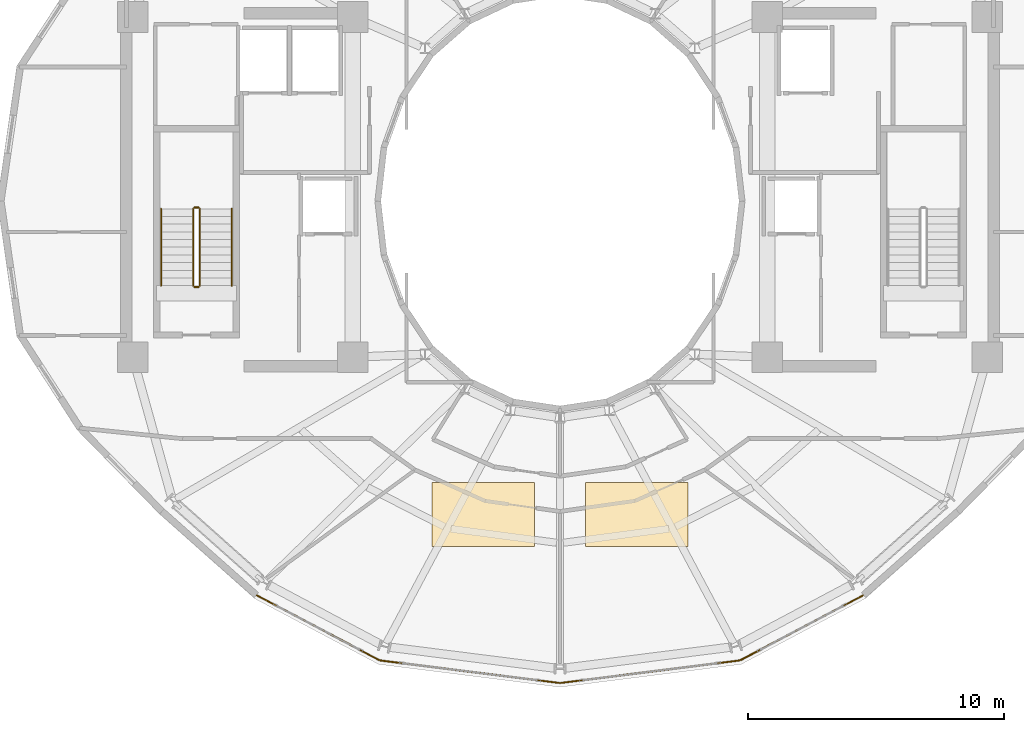
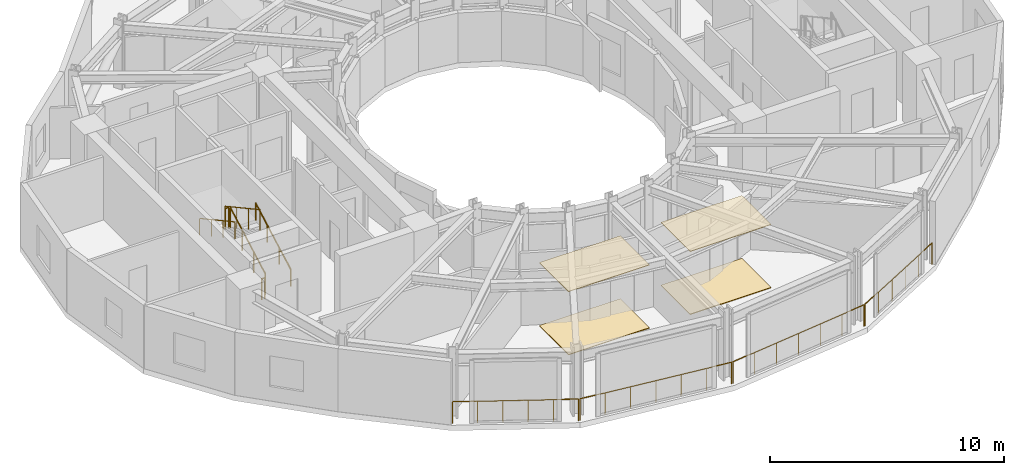
# One storey, part 17 of 19: 10 railings, 4 coverings.
"""IFC4 building model written with IfcOpenShell, lengths in metres."""

from ifc_helpers import new_model, si_unit, direction, frame, origin, origin_2d, place, context, subcontext, project, spatial, polyline, circle, outline, extrude, material, layer, layer_set, type_object, element, save


model = new_model("IFC4")

# Units and contexts
model_context = context("Model", 3, precision=1e-05, world=origin(), true_north=direction((0.0, 1.0)))
body_context = subcontext(model_context, "Body", "Model", "MODEL_VIEW")
ifc_project = project(units=[si_unit("LENGTHUNIT", "METRE"), si_unit("AREAUNIT", "SQUARE_METRE"), si_unit("VOLUMEUNIT", "CUBIC_METRE"), si_unit("PLANEANGLEUNIT", "RADIAN"), si_unit("MASSUNIT", "GRAM", prefix="KILO")], contexts=[model_context])

# Site, building, storey
site_placement = place(None, origin())
site = spatial("IfcSite", under=ifc_project, at=site_placement, CompositionType="ELEMENT")
building_placement = place(site_placement, origin())
building = spatial("IfcBuilding", under=site, at=building_placement, Name="Solvane Sanctuary Tower", CompositionType="ELEMENT")
storey_placement = place(building_placement, frame((0.0, 0.0, 242.39990234375)))
storey = spatial("IfcBuildingStorey", under=building, at=storey_placement, Name="L74", CompositionType="ELEMENT", Elevation=242.39990234375)

# Coverings
ifc_material_1 = material(Name="Acoustic Gypsum Partition Board")
ifc_layer_1 = layer(ifc_material_1, 0.02490234375, Name="Acoustic Gypsum Partition Board")
ifc_layer_set_1 = layer_set([ifc_layer_1], Name="Acoustic Gypsum Partition Board")
covering_type_1 = type_object("IfcCoveringType", Name="Covering CLG-ACOUST", PredefinedType="CEILING", material=ifc_layer_set_1)
covering_1_placement = place(storey_placement, frame((0.0, 0.0, 3.2900390625)))
element("IfcCovering", 1, at=covering_1_placement, inside=storey, type_object=covering_type_1, Name="L74 Sky Dining Acoustic Coffer 9", PredefinedType="CEILING", context=body_context, shape_type="SweptSolid", body=[
    extrude(outline(polyline([(27.0, 9.5), (31.0, 9.5), (31.0, 12.0), (27.0, 12.0), (27.0, 9.5)])), origin(), (0.0, 0.0, 1.0), 0.030029296875),
])
covering_2_placement = place(storey_placement, frame((0.0, 0.0, 3.2900390625)))
element("IfcCovering", 2, at=covering_2_placement, inside=storey, type_object=covering_type_1, Name="L74 Sky Dining Acoustic Coffer 10", PredefinedType="CEILING", context=body_context, shape_type="SweptSolid", body=[
    extrude(outline(polyline([(33.0, 9.5), (37.0, 9.5), (37.0, 12.0), (33.0, 12.0), (33.0, 9.5)])), origin(), (0.0, 0.0, 1.0), 0.030029296875),
])
ifc_material_2 = material(Name="Ceramic Tile Finish")
ifc_layer_2 = layer(ifc_material_2, 0.030029296875, Name="Ceramic Tile Finish")
ifc_layer_set_2 = layer_set([ifc_layer_2], Name="Ceramic Tile Finish")
covering_type_2 = type_object("IfcCoveringType", Name="Covering FLR-TERRAZZO", PredefinedType="FLOORING", material=ifc_layer_set_2)
covering_3_placement = place(storey_placement, origin())
element("IfcCovering", 3, at=covering_3_placement, inside=storey, type_object=covering_type_2, Name="L74 Sky Dining Terrazzo Inlay 9", PredefinedType="FLOORING", context=body_context, shape_type="SweptSolid", body=[
    extrude(outline(polyline([(27.0, 9.5), (31.0, 9.5), (31.0, 12.0), (27.0, 12.0), (27.0, 9.5)])), origin(), (0.0, 0.0, 1.0), 0.03515625),
])
covering_4_placement = place(storey_placement, origin())
element("IfcCovering", 4, at=covering_4_placement, inside=storey, type_object=covering_type_2, Name="L74 Sky Dining Terrazzo Inlay 10", PredefinedType="FLOORING", context=body_context, shape_type="SweptSolid", body=[
    extrude(outline(polyline([(33.0, 9.5), (37.0, 9.5), (37.0, 12.0), (33.0, 12.0), (33.0, 9.5)])), origin(), (0.0, 0.0, 1.0), 0.03515625),
])

# Railings
ifc_material_3 = material(Name="Architectural Stainless Steel 316", Category="steel")
railing_type_1 = type_object("IfcRailingType", Name="Railing GR-BALC-1150", PredefinedType="BALUSTRADE", material=ifc_material_3)
railing_1_placement = place(storey_placement, frame((20.156494140625, 7.5869140625, 0.0)))
element("IfcRailing", 5, at=railing_1_placement, inside=storey, type_object=railing_type_1, Name="L74 Curtain-Wall Perimeter Sill Guard 16", PredefinedType="BALUSTRADE", context=body_context, shape_type="SweptSolid", body=[
    extrude(circle(Radius=0.02392578125, at=origin_2d()), frame((0.0, 0.0, 1.1259765625), z_axis=(0.883976980304, -0.467530424992, 0.0), x_axis=(0.467530424992, 0.883976980304, 0.0)), (0.0, 0.0, 1.0), 5.400390625),
    extrude(circle(Radius=0.02099609375, at=origin_2d()), origin(), (0.0, 0.0, 1.0), 1.101806640625),
    extrude(circle(Radius=0.02099609375, at=origin_2d()), frame((0.954833984375, -0.5048828125, 0.0)), (0.0, 0.0, 1.0), 1.101806640625),
    extrude(circle(Radius=0.02099609375, at=origin_2d()), frame((1.90966796875, -1.010009765625, 0.0)), (0.0, 0.0, 1.0), 1.101806640625),
    extrude(circle(Radius=0.02099609375, at=origin_2d()), frame((2.8642578125, -1.514892578125, 0.0)), (0.0, 0.0, 1.0), 1.101806640625),
    extrude(circle(Radius=0.02099609375, at=origin_2d()), frame((3.819091796875, -2.02001953125, 0.0)), (0.0, 0.0, 1.0), 1.101806640625),
    extrude(circle(Radius=0.02099609375, at=origin_2d()), frame((4.77392578125, -2.52490234375, 0.0)), (0.0, 0.0, 1.0), 1.101806640625),
])
railing_2_placement = place(storey_placement, frame((24.98681640625, 5.04443359375, 0.0)))
element("IfcRailing", 6, at=railing_2_placement, inside=storey, type_object=railing_type_1, Name="L74 Curtain-Wall Perimeter Sill Guard 17", PredefinedType="BALUSTRADE", context=body_context, shape_type="SweptSolid", body=[
    extrude(circle(Radius=0.02392578125, at=origin_2d()), frame((0.0, 0.0, 1.1259765625), z_axis=(0.992181523379, -0.124803143655, 0.0), x_axis=(0.124803143655, 0.992181523379, 0.0)), (0.0, 0.0, 1.0), 7.038330078125),
    extrude(circle(Radius=0.02099609375, at=origin_2d()), origin(), (0.0, 0.0, 1.0), 1.101806640625),
    extrude(circle(Radius=0.02099609375, at=origin_2d()), frame((1.163818359375, -0.146484375, 0.0)), (0.0, 0.0, 1.0), 1.101806640625),
    extrude(circle(Radius=0.02099609375, at=origin_2d()), frame((2.327880859375, -0.292724609375, 0.0)), (0.0, 0.0, 1.0), 1.101806640625),
    extrude(circle(Radius=0.02099609375, at=origin_2d()), frame((3.49169921875, -0.439208984375, 0.0)), (0.0, 0.0, 1.0), 1.101806640625),
    extrude(circle(Radius=0.02099609375, at=origin_2d()), frame((4.655517578125, -0.585693359375, 0.0)), (0.0, 0.0, 1.0), 1.101806640625),
    extrude(circle(Radius=0.02099609375, at=origin_2d()), frame((5.819580078125, -0.73193359375, 0.0)), (0.0, 0.0, 1.0), 1.101806640625),
    extrude(circle(Radius=0.02099609375, at=origin_2d()), frame((6.9833984375, -0.87841796875, 0.0)), (0.0, 0.0, 1.0), 1.101806640625),
])
railing_3_placement = place(storey_placement, frame((32.02978515625, 4.166015625, 0.0)))
element("IfcRailing", 7, at=railing_3_placement, inside=storey, type_object=railing_type_1, Name="L74 Curtain-Wall Perimeter Sill Guard 18", PredefinedType="BALUSTRADE", context=body_context, shape_type="SweptSolid", body=[
    extrude(circle(Radius=0.02392578125, at=origin_2d()), frame((0.0, 0.0, 1.1259765625), z_axis=(0.992181523379, 0.124803143655, 0.0), x_axis=(-0.124803143655, 0.992181523379, 0.0)), (0.0, 0.0, 1.0), 7.038330078125),
    extrude(circle(Radius=0.02099609375, at=origin_2d()), origin(), (0.0, 0.0, 1.0), 1.101806640625),
    extrude(circle(Radius=0.02099609375, at=origin_2d()), frame((1.163818359375, 0.146484375, 0.0)), (0.0, 0.0, 1.0), 1.101806640625),
    extrude(circle(Radius=0.02099609375, at=origin_2d()), frame((2.327880859375, 0.292724609375, 0.0)), (0.0, 0.0, 1.0), 1.101806640625),
    extrude(circle(Radius=0.02099609375, at=origin_2d()), frame((3.49169921875, 0.439208984375, 0.0)), (0.0, 0.0, 1.0), 1.101806640625),
    extrude(circle(Radius=0.02099609375, at=origin_2d()), frame((4.655517578125, 0.585693359375, 0.0)), (0.0, 0.0, 1.0), 1.101806640625),
    extrude(circle(Radius=0.02099609375, at=origin_2d()), frame((5.819580078125, 0.73193359375, 0.0)), (0.0, 0.0, 1.0), 1.101806640625),
    extrude(circle(Radius=0.02099609375, at=origin_2d()), frame((6.9833984375, 0.87841796875, 0.0)), (0.0, 0.0, 1.0), 1.101806640625),
])
railing_4_placement = place(storey_placement, frame((39.069580078125, 5.06201171875, 0.0)))
element("IfcRailing", 8, at=railing_4_placement, inside=storey, type_object=railing_type_1, Name="L74 Curtain-Wall Perimeter Sill Guard 19", PredefinedType="BALUSTRADE", context=body_context, shape_type="SweptSolid", body=[
    extrude(circle(Radius=0.02392578125, at=origin_2d()), frame((0.0, 0.0, 1.1259765625), z_axis=(0.883976980304, 0.467530424992, 0.0), x_axis=(-0.467530424992, 0.883976980304, 0.0)), (0.0, 0.0, 1.0), 5.400390625),
    extrude(circle(Radius=0.02099609375, at=origin_2d()), origin(), (0.0, 0.0, 1.0), 1.101806640625),
    extrude(circle(Radius=0.02099609375, at=origin_2d()), frame((0.954833984375, 0.5048828125, 0.0)), (0.0, 0.0, 1.0), 1.101806640625),
    extrude(circle(Radius=0.02099609375, at=origin_2d()), frame((1.90966796875, 1.010009765625, 0.0)), (0.0, 0.0, 1.0), 1.101806640625),
    extrude(circle(Radius=0.02099609375, at=origin_2d()), frame((2.8642578125, 1.514892578125, 0.0)), (0.0, 0.0, 1.0), 1.101806640625),
    extrude(circle(Radius=0.02099609375, at=origin_2d()), frame((3.819091796875, 2.02001953125, 0.0)), (0.0, 0.0, 1.0), 1.101806640625),
    extrude(circle(Radius=0.02099609375, at=origin_2d()), frame((4.77392578125, 2.52490234375, 0.0)), (0.0, 0.0, 1.0), 1.101806640625),
])
railing_5_placement = place(storey_placement, frame((17.919921875, 19.699951171875, 0.163818359375)))
element("IfcRailing", 9, at=railing_5_placement, inside=storey, type_object=railing_type_1, Name="L74 ST-1 stair guard 1", PredefinedType="BALUSTRADE", context=body_context, shape_type="SweptSolid", body=[
    extrude(circle(Radius=0.02392578125, at=origin_2d()), frame((0.0, 0.0, 1.076171875), z_axis=(0.0, 0.877911954615, 0.47882209634), x_axis=(-1.0, 0.0, 0.0)), (0.0, 0.0, 1.0), 3.417236328125),
    extrude(circle(Radius=0.02099609375, at=origin_2d()), origin(), (0.0, 0.0, 1.0), 1.052001953125),
    extrude(circle(Radius=0.02099609375, at=origin_2d()), frame((0.0, 1.0, 0.54541015625)), (0.0, 0.0, 1.0), 1.052001953125),
    extrude(circle(Radius=0.02099609375, at=origin_2d()), frame((0.0, 2.0, 1.0908203125)), (0.0, 0.0, 1.0), 1.052001953125),
    extrude(circle(Radius=0.02099609375, at=origin_2d()), frame((0.0, 3.0, 1.63623046875)), (0.0, 0.0, 1.0), 1.052001953125),
])
railing_6_placement = place(storey_placement, frame((17.8701171875, 22.75, 1.800048828125)))
element("IfcRailing", 10, at=railing_6_placement, inside=storey, type_object=railing_type_1, Name="L74 ST-1 stair guard 2", PredefinedType="BALUSTRADE", context=body_context, shape_type="SweptSolid", body=[
    extrude(circle(Radius=0.02392578125, at=origin_2d()), frame((0.0, 0.0, 1.076171875), z_axis=(-1.0, 0.0, 0.0), x_axis=(0.0, -1.0, 0.0)), (0.0, 0.0, 1.0), 0.16015625),
    extrude(circle(Radius=0.02099609375, at=origin_2d()), origin(), (0.0, 0.0, 1.0), 1.052001953125),
    extrude(circle(Radius=0.02099609375, at=origin_2d()), frame((-0.16015625, 0.0, 0.0)), (0.0, 0.0, 1.0), 1.052001953125),
])
railing_7_placement = place(storey_placement, frame((17.659912109375, 22.699951171875, 1.963623046875)))
element("IfcRailing", 11, at=railing_7_placement, inside=storey, type_object=railing_type_1, Name="L74 ST-1 stair guard 3", PredefinedType="BALUSTRADE", context=body_context, shape_type="SweptSolid", body=[
    extrude(circle(Radius=0.02392578125, at=origin_2d()), frame((0.0, 0.0, 1.076171875), z_axis=(0.0, -0.877881921179, 0.478877158013), x_axis=(1.0, 0.0, 0.0)), (0.0, 0.0, 1.0), 3.417236328125),
    extrude(circle(Radius=0.02099609375, at=origin_2d()), origin(), (0.0, 0.0, 1.0), 1.052001953125),
    extrude(circle(Radius=0.02099609375, at=origin_2d()), frame((0.0, -1.0, 0.54541015625)), (0.0, 0.0, 1.0), 1.052001953125),
    extrude(circle(Radius=0.02099609375, at=origin_2d()), frame((0.0, -2.0, 1.091064453125)), (0.0, 0.0, 1.0), 1.052001953125),
    extrude(circle(Radius=0.02099609375, at=origin_2d()), frame((0.0, -3.0, 1.636474609375)), (0.0, 0.0, 1.0), 1.052001953125),
])
railing_8_placement = place(storey_placement, frame((17.8701171875, 19.64990234375, 0.0)))
element("IfcRailing", 12, at=railing_8_placement, inside=storey, type_object=railing_type_1, Name="L74 ST-1 stair guard 4", PredefinedType="BALUSTRADE", context=body_context, shape_type="SweptSolid", body=[
    extrude(circle(Radius=0.02392578125, at=origin_2d()), frame((0.0, 0.0, 1.076171875), z_axis=(-1.0, 0.0, 0.0), x_axis=(0.0, -1.0, 0.0)), (0.0, 0.0, 1.0), 0.16015625),
    extrude(circle(Radius=0.02099609375, at=origin_2d()), origin(), (0.0, 0.0, 1.0), 1.052001953125),
    extrude(circle(Radius=0.02099609375, at=origin_2d()), frame((-0.16015625, 0.0, 0.0)), (0.0, 0.0, 1.0), 1.052001953125),
])
railing_type_2 = type_object("IfcRailingType", Name="Railing HR-STAIR-920", PredefinedType="HANDRAIL", material=ifc_material_3)
railing_9_placement = place(storey_placement, frame((19.169921875, 19.699951171875, 0.163818359375)))
element("IfcRailing", 13, at=railing_9_placement, inside=storey, type_object=railing_type_2, Name="L74 ST-1 stair handrail 1", PredefinedType="HANDRAIL", context=body_context, shape_type="SweptSolid", body=[
    extrude(circle(Radius=0.02392578125, at=origin_2d()), frame((0.0, 0.0, 0.8759765625), z_axis=(0.0, 0.877911954615, 0.47882209634), x_axis=(-1.0, 0.0, 0.0)), (0.0, 0.0, 1.0), 3.417236328125),
    extrude(circle(Radius=0.02099609375, at=origin_2d()), origin(), (0.0, 0.0, 1.0), 0.851806640625),
    extrude(circle(Radius=0.02099609375, at=origin_2d()), frame((0.0, 1.0, 0.54541015625)), (0.0, 0.0, 1.0), 0.851806640625),
    extrude(circle(Radius=0.02099609375, at=origin_2d()), frame((0.0, 2.0, 1.0908203125)), (0.0, 0.0, 1.0), 0.851806640625),
    extrude(circle(Radius=0.02099609375, at=origin_2d()), frame((0.0, 3.0, 1.63623046875)), (0.0, 0.0, 1.0), 0.851806640625),
])
railing_10_placement = place(storey_placement, frame((16.409912109375, 22.699951171875, 1.963623046875)))
element("IfcRailing", 14, at=railing_10_placement, inside=storey, type_object=railing_type_2, Name="L74 ST-1 stair handrail 2", PredefinedType="HANDRAIL", context=body_context, shape_type="SweptSolid", body=[
    extrude(circle(Radius=0.02392578125, at=origin_2d()), frame((0.0, 0.0, 0.8759765625), z_axis=(0.0, -0.877881921179, 0.478877158013), x_axis=(1.0, 0.0, 0.0)), (0.0, 0.0, 1.0), 3.417236328125),
    extrude(circle(Radius=0.02099609375, at=origin_2d()), origin(), (0.0, 0.0, 1.0), 0.851806640625),
    extrude(circle(Radius=0.02099609375, at=origin_2d()), frame((0.0, -1.0, 0.54541015625)), (0.0, 0.0, 1.0), 0.851806640625),
    extrude(circle(Radius=0.02099609375, at=origin_2d()), frame((0.0, -2.0, 1.091064453125)), (0.0, 0.0, 1.0), 0.851806640625),
    extrude(circle(Radius=0.02099609375, at=origin_2d()), frame((0.0, -3.0, 1.636474609375)), (0.0, 0.0, 1.0), 0.851806640625),
])

save(model, "model.ifc")
